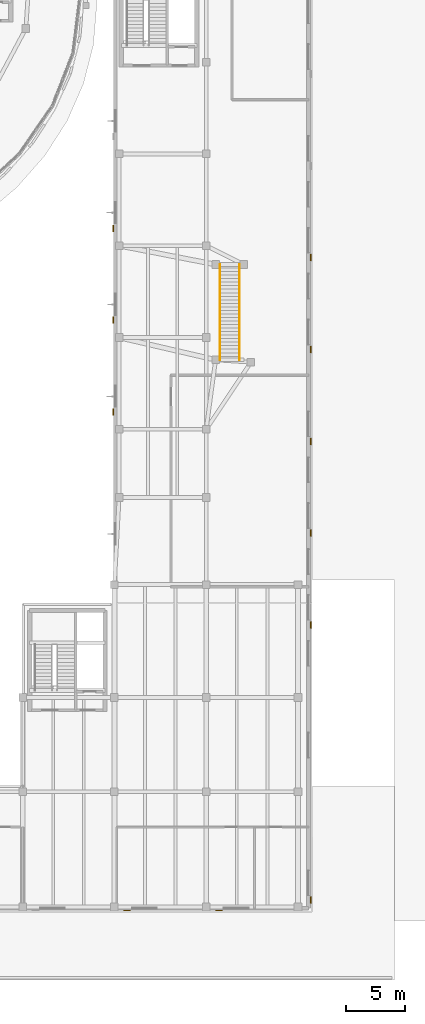
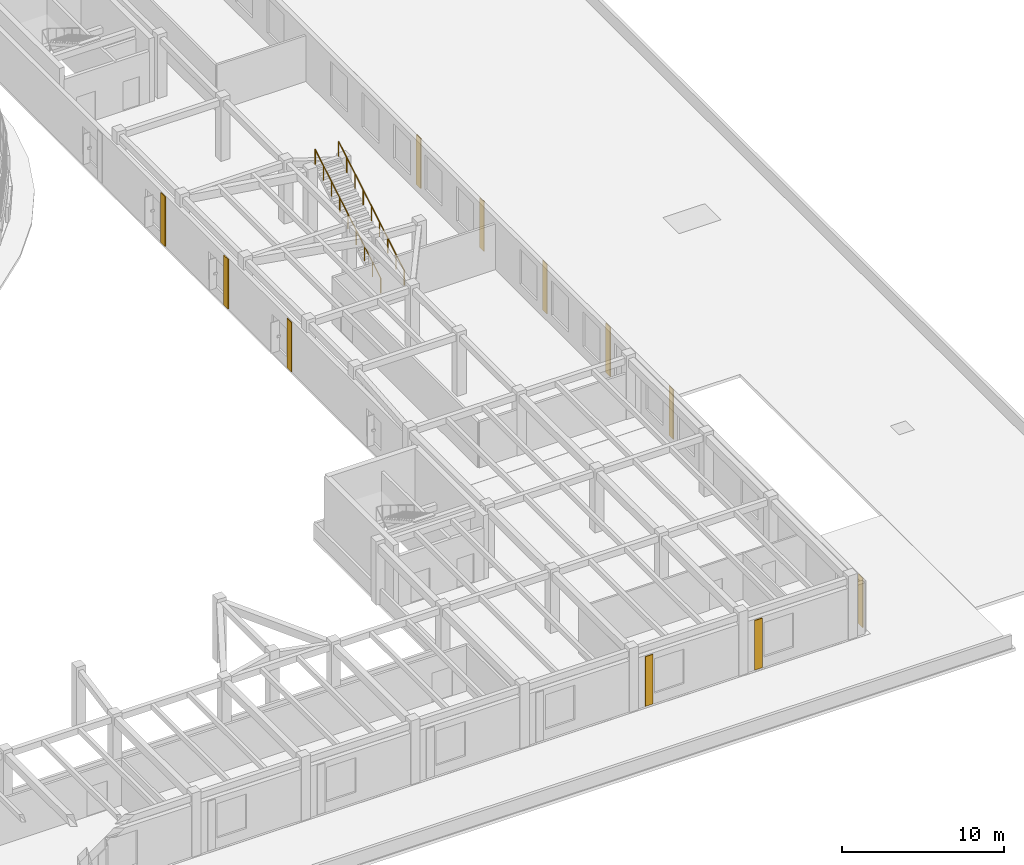
# One storey, part 104 of 105: 11 coverings, 2 railings.
"""IFC4 building model written with IfcOpenShell, lengths in metres."""

from ifc_helpers import new_model, si_unit, direction, frame, origin, origin_2d, place, context, subcontext, project, spatial, rectangle, circle, extrude, material, layer, layer_set, type_object, element, save


model = new_model("IFC4")

# Units and contexts
model_context = context("Model", 3, precision=1e-05, world=origin(), true_north=direction((0.0, 1.0)))
body_context = subcontext(model_context, "Body", "Model", "MODEL_VIEW")
ifc_project = project(units=[si_unit("LENGTHUNIT", "METRE"), si_unit("AREAUNIT", "SQUARE_METRE"), si_unit("VOLUMEUNIT", "CUBIC_METRE"), si_unit("PLANEANGLEUNIT", "RADIAN"), si_unit("MASSUNIT", "GRAM", prefix="KILO")], contexts=[model_context])

# Site, building, storey
site_placement = place(None, origin())
site = spatial("IfcSite", under=ifc_project, at=site_placement, CompositionType="ELEMENT")
building_placement = place(site_placement, origin())
building = spatial("IfcBuilding", under=site, at=building_placement, Name="Pelvatis Terrace Science Centre", CompositionType="ELEMENT")
storey_placement = place(building_placement, frame((0.0, 0.0, 10.199951171875)))
storey = spatial("IfcBuildingStorey", under=building, at=storey_placement, Name="L02", CompositionType="ELEMENT", Elevation=10.199951171875)

# Coverings
ifc_material_1 = material(Name="Fluted warm stone-aggregate precast facade relief panel", Category="masonry")
ifc_layer = layer(ifc_material_1, 0.054931640625)
ifc_layer_set = layer_set([ifc_layer], Name="Fluted warm stone-aggregate precast facade relief panel")
covering_type = type_object("IfcCoveringType", Name="COV-CLAD-PREC-55", PredefinedType="CLADDING", material=ifc_layer_set)
for number, where, z_axis, x_axis, name in (
    (1, (141.47998046875, 5.91259765625, 0.06005859375), (0.0, 0.0, 1.0), (1.0, 0.0, 0.0), "Classical fluted stone pilaster strip 40"),
    (2, (149.280029296875, 5.91259765625, 0.06005859375), (0.0, 0.0, 1.0), (1.0, 0.0, 0.0), "Classical fluted stone pilaster strip 41"),
):
    element("IfcCovering", number, at=place(storey_placement, frame(where, z_axis=z_axis, x_axis=x_axis)), inside=storey, type_object=covering_type, Name=name, PredefinedType="CLADDING", context=body_context, shape_type="SweptSolid", body=[
        extrude(rectangle(XDim=0.550048828125, YDim=0.054931640625, at=origin_2d()), origin(), (0.0, 0.0, 1.0), 3.739990234375),
    ])
for number, where, z_axis, x_axis, name in (
    (3, (157.08740234375, 6.780029296875, 0.06005859375), (0.0, 0.0, 1.0), (1.0, 0.0, 0.0), "Classical fluted stone pilaster strip 42"),
    (4, (157.08740234375, 30.179931640625, 0.06005859375), (0.0, 0.0, 1.0), (1.0, 0.0, 0.0), "Classical fluted stone pilaster strip 43"),
    (5, (157.08740234375, 37.97998046875, 0.06005859375), (0.0, 0.0, 1.0), (1.0, 0.0, 0.0), "Classical fluted stone pilaster strip 44"),
    (6, (157.08740234375, 45.780029296875, 0.06005859375), (0.0, 0.0, 1.0), (1.0, 0.0, 0.0), "Classical fluted stone pilaster strip 45"),
    (7, (157.08740234375, 53.580078125, 0.06005859375), (0.0, 0.0, 1.0), (1.0, 0.0, 0.0), "Classical fluted stone pilaster strip 46"),
    (8, (157.08740234375, 61.3798828125, 0.06005859375), (0.0, 0.0, 1.0), (1.0, 0.0, 0.0), "Classical fluted stone pilaster strip 47"),
    (9, (140.300048828125, 48.280029296875, 0.06005859375), (0.0, 0.0, 1.0), (1.0, 0.0, 0.0), "Classical fluted stone pilaster strip 52"),
    (10, (140.300048828125, 56.080078125, 0.06005859375), (0.0, 0.0, 1.0), (1.0, 0.0, 0.0), "Classical fluted stone pilaster strip 53"),
    (11, (140.300048828125, 63.8798828125, 0.06005859375), (0.0, 0.0, 1.0), (1.0, 0.0, 0.0), "Classical fluted stone pilaster strip 54"),
):
    element("IfcCovering", number, at=place(storey_placement, frame(where, z_axis=z_axis, x_axis=x_axis)), inside=storey, type_object=covering_type, Name=name, PredefinedType="CLADDING", context=body_context, shape_type="SweptSolid", body=[
        extrude(rectangle(XDim=0.054931640625, YDim=0.550048828125, at=origin_2d()), origin(), (0.0, 0.0, 1.0), 3.739990234375),
    ])

# Railings
ifc_material_2 = material(Name="Brushed architectural bronze tubular railing", Category="steel")
railing_type = type_object("IfcRailingType", Name="RLG-GRD-1120", PredefinedType="GUARDRAIL", material=ifc_material_2)
for number, where, name in (
    (12, (149.364990234375, 52.699951171875, 0.0), "Stair FST-05 flight guard L"),
    (13, (151.034912109375, 52.699951171875, 0.0), "Stair FST-05 flight guard R"),
):
    element("IfcRailing", number, at=place(storey_placement, frame(where)), inside=storey, type_object=railing_type, Name=name, PredefinedType="GUARDRAIL", context=body_context, shape_type="SweptSolid", body=[
        extrude(circle(Radius=0.02392578125, at=origin_2d()), frame((0.0, 0.0, 1.09619140625), z_axis=(0.0, 0.860291954825, 0.509801679541), x_axis=(-1.0, 0.0, 0.0)), (0.0, 0.0, 1.0), 9.41552734375),
        extrude(circle(Radius=0.02099609375, at=origin_2d()), origin(), (0.0, 0.0, 1.0), 1.072021484375),
        extrude(circle(Radius=0.02099609375, at=origin_2d()), frame((0.0, 1.012451171875, 0.60009765625)), (0.0, 0.0, 1.0), 1.072021484375),
        extrude(circle(Radius=0.02099609375, at=origin_2d()), frame((0.0, 2.02490234375, 1.199951171875)), (0.0, 0.0, 1.0), 1.072021484375),
        extrude(circle(Radius=0.02099609375, at=origin_2d()), frame((0.0, 3.03759765625, 1.800048828125)), (0.0, 0.0, 1.0), 1.072021484375),
        extrude(circle(Radius=0.02099609375, at=origin_2d()), frame((0.0, 4.050048828125, 2.39990234375)), (0.0, 0.0, 1.0), 1.072021484375),
        extrude(circle(Radius=0.02099609375, at=origin_2d()), frame((0.0, 5.0625, 3.0)), (0.0, 0.0, 1.0), 1.072021484375),
        extrude(circle(Radius=0.02099609375, at=origin_2d()), frame((0.0, 6.0751953125, 3.60009765625)), (0.0, 0.0, 1.0), 1.072021484375),
        extrude(circle(Radius=0.02099609375, at=origin_2d()), frame((0.0, 7.087646484375, 4.199951171875)), (0.0, 0.0, 1.0), 1.072021484375),
        extrude(circle(Radius=0.02099609375, at=origin_2d()), frame((0.0, 8.10009765625, 4.800048828125)), (0.0, 0.0, 1.0), 1.072021484375),
    ])

save(model, "model.ifc")
